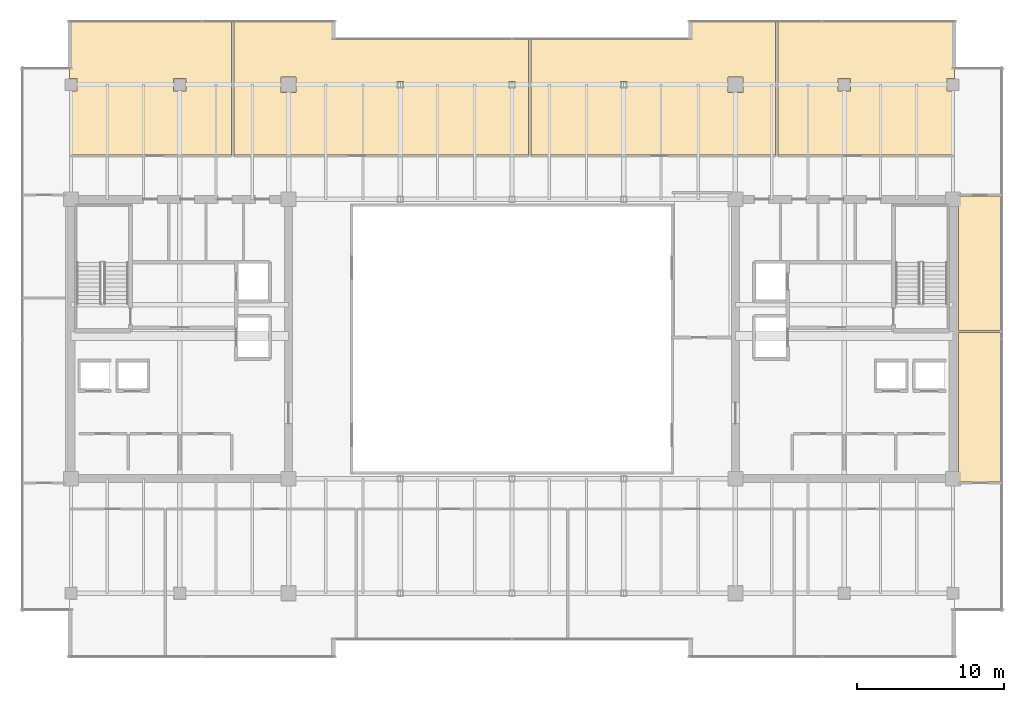
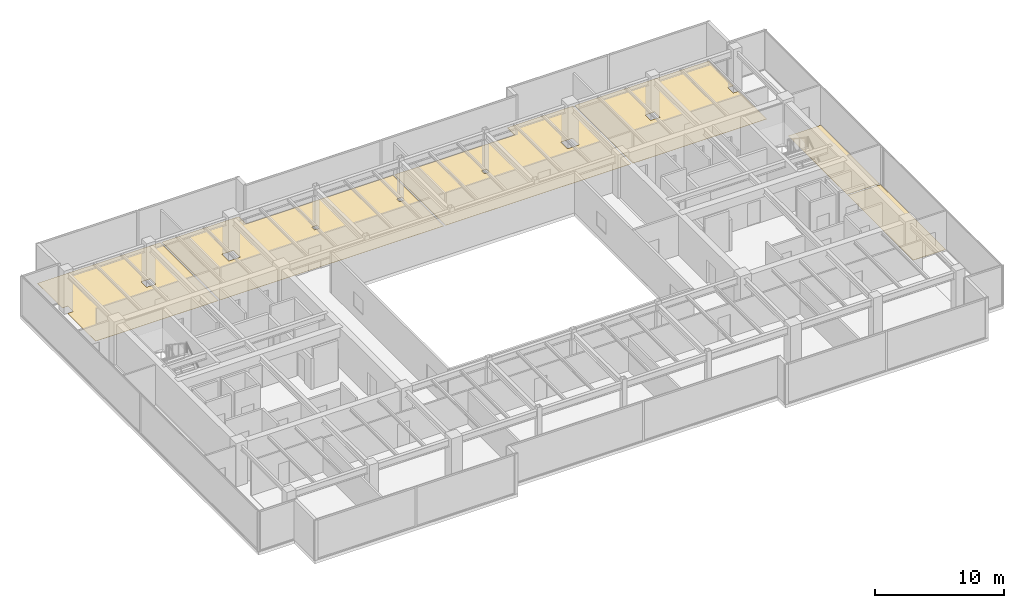
# One storey, part 35 of 35: 6 coverings.
"""IFC4 building model written with IfcOpenShell, lengths in metres."""

from ifc_helpers import new_model, si_unit, direction, frame, origin, place, context, subcontext, project, spatial, polyline, outline, extrude, material, layer, layer_set, type_object, element, save


model = new_model("IFC4")

# Units and contexts
model_context = context("Model", 3, precision=1e-05, world=origin(), true_north=direction((0.0, 1.0)))
body_context = subcontext(model_context, "Body", "Model", "MODEL_VIEW")
ifc_project = project(units=[si_unit("LENGTHUNIT", "METRE"), si_unit("AREAUNIT", "SQUARE_METRE"), si_unit("VOLUMEUNIT", "CUBIC_METRE"), si_unit("PLANEANGLEUNIT", "RADIAN"), si_unit("MASSUNIT", "GRAM", prefix="KILO")], contexts=[model_context])

# Site, building, storey
site_placement = place(None, origin())
site = spatial("IfcSite", under=ifc_project, at=site_placement, CompositionType="ELEMENT")
building_placement = place(site_placement, origin())
building = spatial("IfcBuilding", under=site, at=building_placement, Name="Haelvirn Gate Laboratories", CompositionType="ELEMENT")
storey_placement = place(building_placement, frame((0.0, 0.0, 226.0)))
storey = spatial("IfcBuildingStorey", under=building, at=storey_placement, Name="L54", CompositionType="ELEMENT", Elevation=226.0)

# Coverings
ifc_material = material(Name="Seamless chemical-resistant epoxy laboratory flooring")
ifc_layer = layer(ifc_material, 0.01806640625, Name="COV-FLR-RESIN")
ifc_layer_set = layer_set([ifc_layer], Name="Seamless chemical-resistant epoxy laboratory flooring")
covering_type = type_object("IfcCoveringType", Name="COV-FLR-RESIN", PredefinedType="FLOORING", material=ifc_layer_set)
covering_1_placement = place(storey_placement, origin())
element("IfcCovering", 1, at=covering_1_placement, inside=storey, type_object=covering_type, Name="L54 Seamless Laboratory Flooring FLR-SP-L54-N-01", PredefinedType="FLOORING", context=body_context, shape_type="SweptSolid", body=[
    extrude(outline(polyline([(18.320068359375, 36.830078125), (7.31005859375, 36.830078125), (7.31005859375, 41.179931640625), (7.820068359375, 41.179931640625), (7.820068359375, 42.02001953125), (7.31005859375, 42.02001953125), (7.31005859375, 45.889892578125), (18.320068359375, 45.889892578125), (18.320068359375, 36.830078125)]), holes=[polyline([(14.3798828125, 41.179931640625), (15.219970703125, 41.179931640625), (15.219970703125, 42.02001953125), (14.3798828125, 42.02001953125), (14.3798828125, 41.179931640625)])]), origin(), (0.0, 0.0, 1.0), 0.01806640625),
])
covering_2_placement = place(storey_placement, origin())
element("IfcCovering", 2, at=covering_2_placement, inside=storey, type_object=covering_type, Name="L54 Seamless Laboratory Flooring FLR-SP-L54-N-02", PredefinedType="FLOORING", context=body_context, shape_type="SweptSolid", body=[
    extrude(outline(polyline([(25.360107421875, 44.800048828125), (25.360107421875, 44.796142578125), (25.36083984375, 44.792236328125), (25.36181640625, 44.788330078125), (25.363037109375, 44.78466796875), (25.36474609375, 44.781005859375), (25.36669921875, 44.77783203125), (25.369140625, 44.774658203125), (25.37158203125, 44.771728515625), (25.37451171875, 44.76904296875), (25.377685546875, 44.7666015625), (25.381103515625, 44.7646484375), (25.384765625, 44.762939453125), (25.388427734375, 44.76171875), (25.39208984375, 44.7607421875), (25.39599609375, 44.76025390625), (25.39990234375, 44.760009765625), (38.52001953125, 44.760009765625), (38.52001953125, 36.830078125), (18.47998046875, 36.830078125), (18.47998046875, 45.889892578125), (25.360107421875, 45.889892578125), (25.360107421875, 44.800048828125)]), holes=[polyline([(22.719970703125, 41.080078125), (22.719970703125, 42.1201171875), (21.679931640625, 42.1201171875), (21.679931640625, 41.080078125), (22.719970703125, 41.080078125)]), polyline([(29.580078125, 41.3798828125), (30.02001953125, 41.3798828125), (30.02001953125, 41.820068359375), (29.580078125, 41.820068359375), (29.580078125, 41.3798828125)]), polyline([(37.179931640625, 41.820068359375), (37.179931640625, 41.3798828125), (37.6201171875, 41.3798828125), (37.6201171875, 41.820068359375), (37.179931640625, 41.820068359375)])]), origin(), (0.0, 0.0, 1.0), 0.01806640625),
])
covering_3_placement = place(storey_placement, origin())
element("IfcCovering", 3, at=covering_3_placement, inside=storey, type_object=covering_type, Name="L54 Seamless Laboratory Flooring FLR-SP-L54-N-03", PredefinedType="FLOORING", context=body_context, shape_type="SweptSolid", body=[
    extrude(outline(polyline([(38.679931640625, 44.760009765625), (49.39990234375, 44.760009765625), (49.40380859375, 44.76025390625), (49.40771484375, 44.7607421875), (49.41162109375, 44.76171875), (49.415283203125, 44.762939453125), (49.4189453125, 44.7646484375), (49.422119140625, 44.7666015625), (49.42529296875, 44.76904296875), (49.42822265625, 44.771728515625), (49.430908203125, 44.774658203125), (49.433349609375, 44.77783203125), (49.435302734375, 44.781005859375), (49.43701171875, 44.78466796875), (49.438232421875, 44.788330078125), (49.439208984375, 44.792236328125), (49.439697265625, 44.796142578125), (49.43994140625, 44.800048828125), (49.43994140625, 45.889892578125), (55.320068359375, 45.889892578125), (55.320068359375, 36.830078125), (38.679931640625, 36.830078125), (38.679931640625, 44.760009765625)]), holes=[polyline([(52.080078125, 41.080078125), (53.1201171875, 41.080078125), (53.1201171875, 42.1201171875), (52.080078125, 42.1201171875), (52.080078125, 41.080078125)]), polyline([(44.780029296875, 41.820068359375), (44.780029296875, 41.3798828125), (45.219970703125, 41.3798828125), (45.219970703125, 41.820068359375), (44.780029296875, 41.820068359375)])]), origin(), (0.0, 0.0, 1.0), 0.01806640625),
])
covering_4_placement = place(storey_placement, origin())
element("IfcCovering", 4, at=covering_4_placement, inside=storey, type_object=covering_type, Name="L54 Seamless Laboratory Flooring FLR-SP-L54-N-04", PredefinedType="FLOORING", context=body_context, shape_type="SweptSolid", body=[
    extrude(outline(polyline([(67.489990234375, 42.02001953125), (66.97998046875, 42.02001953125), (66.97998046875, 41.179931640625), (67.489990234375, 41.179931640625), (67.489990234375, 36.830078125), (55.47998046875, 36.830078125), (55.47998046875, 45.889892578125), (67.489990234375, 45.889892578125), (67.489990234375, 42.02001953125)]), holes=[polyline([(59.580078125, 41.179931640625), (60.419921875, 41.179931640625), (60.419921875, 42.02001953125), (59.580078125, 42.02001953125), (59.580078125, 41.179931640625)])]), origin(), (0.0, 0.0, 1.0), 0.01806640625),
])
covering_5_placement = place(storey_placement, origin())
element("IfcCovering", 5, at=covering_5_placement, inside=storey, type_object=covering_type, Name="L54 Seamless Laboratory Flooring FLR-SP-L54-EZ3-S", PredefinedType="FLOORING", context=body_context, shape_type="SweptSolid", body=[
    extrude(outline(polyline([(67.780029296875, 24.72998046875), (70.68994140625, 24.72998046875), (70.68994140625, 14.5849609375), (67.780029296875, 14.5849609375), (67.780029296875, 24.72998046875)])), origin(), (0.0, 0.0, 1.0), 0.01806640625),
])
covering_6_placement = place(storey_placement, origin())
element("IfcCovering", 6, at=covering_6_placement, inside=storey, type_object=covering_type, Name="L54 Seamless Laboratory Flooring FLR-SP-L54-EZ3-N", PredefinedType="FLOORING", context=body_context, shape_type="SweptSolid", body=[
    extrude(outline(polyline([(67.780029296875, 34.014892578125), (70.68994140625, 34.014892578125), (70.68994140625, 24.8701171875), (67.780029296875, 24.8701171875), (67.780029296875, 34.014892578125)])), origin(), (0.0, 0.0, 1.0), 0.01806640625),
])

save(model, "model.ifc")
